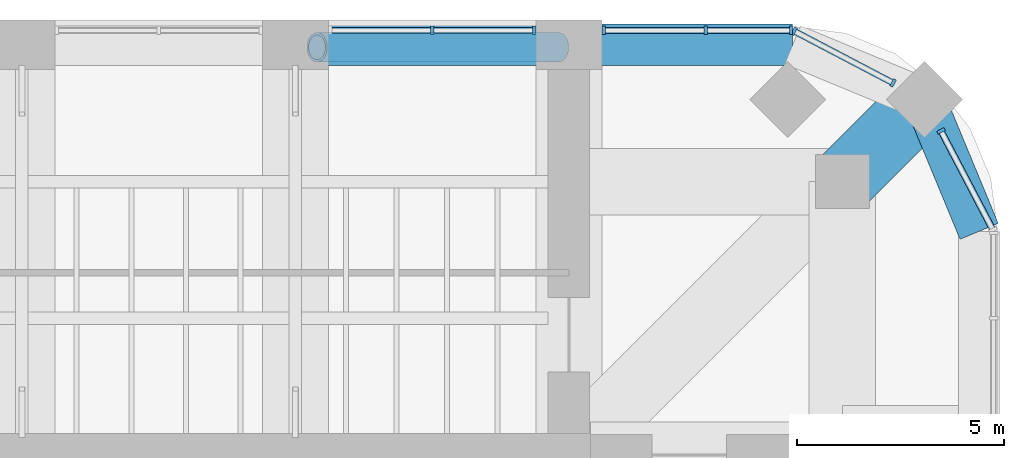
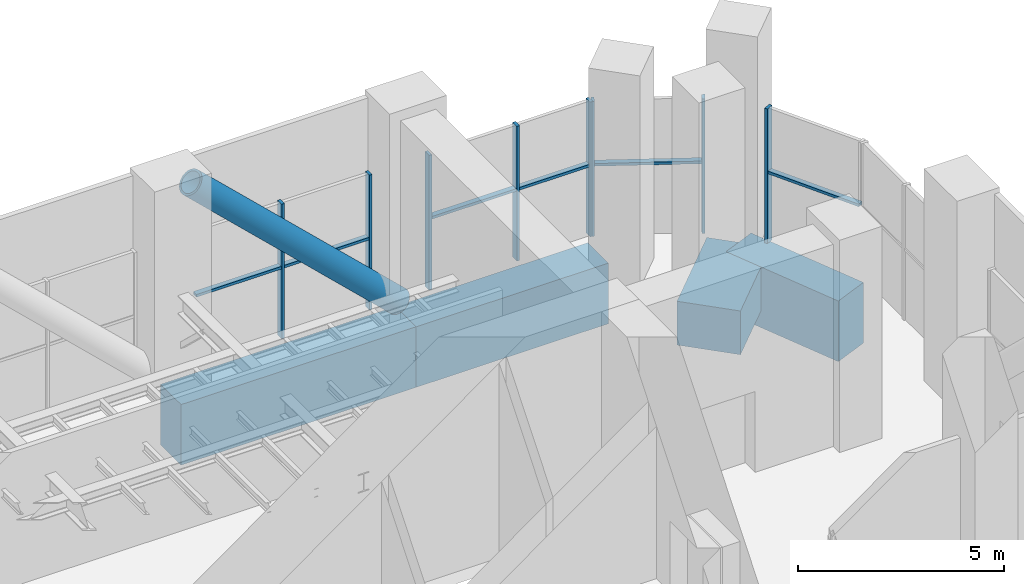
# One storey, part 8 of 15: 15 members, 4 beams, 4 elements without a shape of their own.
"""IFC4 building model written with IfcOpenShell, lengths in metres."""

import ifcopenshell
import ifcopenshell.guid

model = None  # the IFC model being written
_history = None  # IfcOwnerHistory: only IFC2X3 demands one
_inside = {}  # id of a spatial element -> (the spatial element, [elements in it])
_under = {}  # id of a project, library or spatial element -> (it, [spatial elements below it])
_declared = {}  # id of a project -> (the project, [libraries it declares])
_typed = {}  # id of a type object -> (the type object, [elements of that type])
_made_of = {}  # id of a material, layer set ... -> (it, [elements and type objects made of it])


def new_model(schema):
    """Start an empty IFC model of exactly this schema.

    Asked for "IFC4X3", IfcOpenShell would pick the latest addendum, in which some entities
    have other attributes; the version numbers below select the first issue.
    IFC2X3 requires an IfcOwnerHistory on every rooted entity: one is made here for all.
    """
    global model, _history
    if schema == "IFC4X3":
        model = ifcopenshell.file(schema_version=(4, 3, 0, 0))
    else:
        model = ifcopenshell.file(schema=schema)
    _inside.clear()
    _under.clear()
    _declared.clear()
    _typed.clear()
    _made_of.clear()
    _history = None
    if model.schema == "IFC2X3":
        org = make("IfcOrganization", Name="unknown")
        user = make(
            "IfcPersonAndOrganization",
            ThePerson=make("IfcPerson", FamilyName="unknown"),
            TheOrganization=org,
        )
        app = make(
            "IfcApplication",
            ApplicationDeveloper=org,
            Version="unknown",
            ApplicationFullName="unknown",
            ApplicationIdentifier="unknown",
        )
        _history = make(
            "IfcOwnerHistory",
            OwningUser=user,
            OwningApplication=app,
            ChangeAction="ADDED",
            CreationDate=0,
        )
    return model


def make(cls, **values):
    """One entity of the class cls with the attributes given. An attribute that is None is left unset."""
    return model.create_entity(
        cls, **{name: value for name, value in values.items() if value is not None}
    )


def rooted(cls, **values):
    """An entity with a GlobalId (a new one), such as an element, a storey or a relation."""
    return make(cls, GlobalId=ifcopenshell.guid.new(), OwnerHistory=_history, **values)


def si_unit(unit_type, name, prefix=None):
    """IfcSIUnit, for example si_unit("LENGTHUNIT", "METRE", prefix="MILLI")."""
    return make("IfcSIUnit", UnitType=unit_type, Prefix=prefix, Name=name)


def assignment(units):
    """IfcUnitAssignment: the units of a project."""
    return None if units is None else make("IfcUnitAssignment", Units=units)


def point(xyz):
    """IfcCartesianPoint."""
    return None if xyz is None else make("IfcCartesianPoint", Coordinates=xyz)


def direction(xyz):
    """IfcDirection."""
    return None if xyz is None else make("IfcDirection", DirectionRatios=xyz)


def frame(location, z_axis=None, x_axis=None):
    """IfcAxis2Placement3D, a coordinate frame: its origin and axes. An axis left out is left unset."""
    return make(
        "IfcAxis2Placement3D",
        Location=point(location),
        Axis=direction(z_axis),
        RefDirection=direction(x_axis),
    )


def frame_2d(location, x_axis=None):
    """IfcAxis2Placement2D, a coordinate frame in the plane: its origin and x axis."""
    return make(
        "IfcAxis2Placement2D", Location=point(location), RefDirection=direction(x_axis)
    )


def origin():
    """The frame at (0, 0, 0) with its axes left unset."""
    return frame((0.0, 0.0, 0.0))


def origin_2d():
    """The frame at (0, 0) in the plane with its x axis left unset."""
    return frame_2d((0.0, 0.0))


def place(relative_to, where):
    """IfcLocalPlacement: puts the frame where relative to a parent placement (None: the world)."""
    return make(
        "IfcLocalPlacement", PlacementRelTo=relative_to, RelativePlacement=where
    )


def context(
    kind, dimensions, precision=None, world=None, true_north=None, identifier=None
):
    """IfcGeometricRepresentationContext, for example the 3D "Model" context."""
    return make(
        "IfcGeometricRepresentationContext",
        ContextIdentifier=identifier,
        ContextType=kind,
        CoordinateSpaceDimension=dimensions,
        Precision=precision,
        WorldCoordinateSystem=world,
        TrueNorth=true_north,
    )


def subcontext(parent, identifier, kind, view, scale=None):
    """IfcGeometricRepresentationSubContext, for example "Body" below "Model"."""
    return make(
        "IfcGeometricRepresentationSubContext",
        ContextIdentifier=identifier,
        ContextType=kind,
        ParentContext=parent,
        TargetScale=scale,
        TargetView=view,
    )


def project(units=None, contexts=None):
    """IfcProject with its units and contexts."""
    return rooted(
        "IfcProject",
        Name="project",
        RepresentationContexts=contexts,
        UnitsInContext=assignment(units),
    )


def spatial(cls, under=None, at=None, **own):
    """A site, building, storey or space (cls), placed at a placement, below another one or the project."""
    s = rooted(cls, ObjectPlacement=at, **own)
    if under is not None:
        _under.setdefault(under.id(), (under, []))[1].append(s)
    return s


def profile(cls, at=None, kind="AREA", **sizes):
    """A parametric profile (cls). Its sizes go by their IFC names, for example OverallWidth=200.0."""
    return make(cls, ProfileType=kind, Position=at, **sizes)


def rectangle(**sizes):
    """IfcRectangleProfileDef."""
    return profile("IfcRectangleProfileDef", **sizes)


def hollow_circle(**sizes):
    """IfcCircleHollowProfileDef."""
    return profile("IfcCircleHollowProfileDef", **sizes)


def extrude(swept, where, along, depth):
    """IfcExtrudedAreaSolid: the profile swept, set in the frame where, extruded along a direction by depth."""
    return make(
        "IfcExtrudedAreaSolid",
        SweptArea=swept,
        Position=where,
        ExtrudedDirection=direction(along),
        Depth=depth,
    )


def shape(context_of_items, identifier, shape_type, items):
    """IfcShapeRepresentation: the items that make up one representation, for example the "Body"."""
    return make(
        "IfcShapeRepresentation",
        ContextOfItems=context_of_items,
        RepresentationIdentifier=identifier,
        RepresentationType=shape_type,
        Items=items,
    )


def material(Name=None, Category=None):
    """IfcMaterial."""
    return make("IfcMaterial", Name=Name, Category=Category)


def material_profile(
    of_material, cross_section, Name=None, Category=None, Priority=None
):
    """IfcMaterialProfile: a cross section and its material."""
    return make(
        "IfcMaterialProfile",
        Name=Name,
        Material=of_material,
        Profile=cross_section,
        Priority=Priority,
        Category=Category,
    )


def profile_set(profiles, Name=None, composite=None):
    """IfcMaterialProfileSet."""
    return make(
        "IfcMaterialProfileSet",
        Name=Name,
        MaterialProfiles=profiles,
        CompositeProfile=composite,
    )


def made_of(thing, what):
    """Note that an element or type object is made of a material, layer set ...; save() writes the relation."""
    if what is not None:
        _made_of.setdefault(what.id(), (what, []))[1].append(thing)
    return thing


def type_object(cls, material=None, **own):
    """A type object (cls), such as IfcWallType, which elements share."""
    return made_of(rooted(cls, **own), material)


def element(
    cls,
    number,
    at=None,
    inside=None,
    cuts=None,
    type_object=None,
    material=None,
    context=None,
    identifier="Body",
    shape_type=None,
    held_by="IfcProductDefinitionShape",
    body=None,
    shapes=None,
    **own,
):
    """One element of the class cls, such as IfcWall. Its Tag is "e" and its number.

    at: its placement. inside: the storey or other place that contains it. cuts: it is an
    opening in that element (IfcRelVoidsElement). A single representation is given by context,
    identifier, shape_type and body (its items); several are given by shapes. held_by: the class
    of the entity that holds the representations. save() writes the other relations.
    """
    e = rooted(cls, Tag="e%d" % number, ObjectPlacement=at, **own)
    if body is not None:
        shapes = [shape(context, identifier, shape_type, body)]
    if shapes is not None:
        e.Representation = make(held_by, Representations=shapes)
    if inside is not None:
        _inside.setdefault(inside.id(), (inside, []))[1].append(e)
    if cuts is not None:
        rooted(
            "IfcRelVoidsElement", RelatingBuildingElement=cuts, RelatedOpeningElement=e
        )
    if type_object is not None:
        _typed.setdefault(type_object.id(), (type_object, []))[1].append(e)
    return made_of(e, material)


def aggregate(whole, parts):
    """IfcRelAggregates: a whole, such as a stair, and the parts it consists of."""
    return rooted("IfcRelAggregates", RelatingObject=whole, RelatedObjects=parts)


def save(model, path):
    """Write the relations noted so far, then the file.

    IfcRelAggregates (storeys below a building ...), IfcRelContainedInSpatialStructure (elements
    in a storey), IfcRelDefinesByType, IfcRelAssociatesMaterial and IfcRelDeclares: one each for
    every whole, place, type object, material and project.
    """
    for whole, parts in _under.values():
        aggregate(whole, parts)
    for where, things in _inside.values():
        rooted(
            "IfcRelContainedInSpatialStructure",
            RelatedElements=things,
            RelatingStructure=where,
        )
    for kind, things in _typed.values():
        rooted("IfcRelDefinesByType", RelatedObjects=things, RelatingType=kind)
    for what, things in _made_of.values():
        rooted("IfcRelAssociatesMaterial", RelatedObjects=things, RelatingMaterial=what)
    for by, libraries in _declared.values():
        rooted("IfcRelDeclares", RelatingContext=by, RelatedDefinitions=libraries)
    model.write(path)


model = new_model("IFC4")

# Units and contexts
model_context = context("Model", 3, precision=1e-05, world=origin(), true_north=direction((0.0, 1.0)))
body_context = subcontext(model_context, "Body", "Model", "MODEL_VIEW")
ifc_project = project(units=[si_unit("LENGTHUNIT", "METRE"), si_unit("AREAUNIT", "SQUARE_METRE"), si_unit("VOLUMEUNIT", "CUBIC_METRE"), si_unit("PLANEANGLEUNIT", "RADIAN"), si_unit("MASSUNIT", "GRAM", prefix="KILO")], contexts=[model_context])

# Site, building, storey
site_placement = place(None, origin())
site = spatial("IfcSite", under=ifc_project, at=site_placement, CompositionType="ELEMENT")
building_placement = place(site_placement, origin())
building = spatial("IfcBuilding", under=site, at=building_placement, Name="Cobogo Forest Laboratory Tower", CompositionType="ELEMENT")
storey_placement = place(building_placement, frame((0.0, 0.0, 222.89990234375)))
storey = spatial("IfcBuildingStorey", under=building, at=storey_placement, Name="L51", CompositionType="ELEMENT", Elevation=222.89990234375)

# Member
ifc_material_1 = material(Name="Steel S460NH", Category="steel")
ifc_material_profile_1 = material_profile(ifc_material_1, hollow_circle(Radius=0.35546875, WallThickness=0.06005859375, at=origin_2d()), Name="CHS 711x60")
ifc_profile_set_1 = profile_set([ifc_material_profile_1], Name="Steel S460NH")
member_type_1 = type_object("IfcMemberType", Name="Belt truss diagonal CHS 711x60", PredefinedType="BRACE", material=ifc_profile_set_1)
member_1_placement = place(storey_placement, frame((39.35009765625, 42.840087890625, 0.23876953125), z_axis=(-0.723363796511, 0.0, 0.690467101242), x_axis=(0.0, -1.0, 0.0)))
element("IfcMember", 1, at=member_1_placement, inside=storey, type_object=member_type_1, Name="BT1 belt truss diagonal N12 L51", PredefinedType="BRACE", context=body_context, shape_type="SweptSolid", body=[
    extrude(hollow_circle(Radius=0.35546875, WallThickness=0.06005859375, at=origin_2d()), origin(), (0.0, 0.0, 1.0), 8.0595703125),
])

# Curtain wall, member
ifc_material_2 = material(Name="Aluminium curtain wall", Category="aluminium")
curtain_wall_type = type_object("IfcCurtainWallType", Name="CW-P louvred curtain wall, plant floors", PredefinedType="USERDEFINED", material=ifc_material_2)
curtain_wall_1_placement = place(storey_placement, origin())
curtain_wall_1 = element("IfcCurtainWall", 2, at=curtain_wall_1_placement, inside=storey, type_object=curtain_wall_type, Name="Curtain wall 14 L51", ObjectType="LOUVRED CURTAIN WALL", PredefinedType="USERDEFINED")
ifc_material_3 = material(Name="Aluminium mullion", Category="aluminium")
ifc_material_profile_2 = material_profile(ifc_material_3, rectangle(XDim=0.080078125, YDim=0.199951171875, at=origin_2d()), Name="AL 80x200")
ifc_profile_set_2 = profile_set([ifc_material_profile_2], Name="Aluminium mullion")
member_type_2 = type_object("IfcMemberType", Name="MU-3 aluminium louvre mullion 80x200", PredefinedType="MULLION", material=ifc_profile_set_2)
member_2_placement = place(storey_placement, frame((48.579833984375, 40.82275390625, 0.0), z_axis=(0.0, 0.0, 1.0), x_axis=(-0.464283685186, 0.885686547075, 0.0)))
member_2 = element("IfcMember", 3, at=member_2_placement, type_object=member_type_2, Name="CW-P mullion 2", PredefinedType="MULLION", context=body_context, shape_type="SweptSolid", body=[
    extrude(rectangle(XDim=0.080078125, YDim=0.199951171875, at=origin_2d()), origin(), (0.0, 0.0, 1.0), 4.0),
])

# Curtain wall, members
curtain_wall_2_placement = place(storey_placement, origin())
curtain_wall_2 = element("IfcCurtainWall", 4, at=curtain_wall_2_placement, inside=storey, type_object=curtain_wall_type, Name="Curtain wall 15 L51", ObjectType="LOUVRED CURTAIN WALL", PredefinedType="USERDEFINED")
member_3_placement = place(storey_placement, frame((47.4228515625, 41.97998046875, 0.0), z_axis=(0.0, 0.0, 1.0), x_axis=(-0.885686547075, 0.464283685186, 0.0)))
member_3 = element("IfcMember", 5, at=member_3_placement, type_object=member_type_2, Name="CW-P mullion 1", PredefinedType="MULLION", context=body_context, shape_type="SweptSolid", body=[
    extrude(rectangle(XDim=0.080078125, YDim=0.199951171875, at=origin_2d()), origin(), (0.0, 0.0, 1.0), 4.0),
])
member_4_placement = place(storey_placement, frame((45.035400390625, 43.2314453125, 0.0), z_axis=(0.0, 0.0, 1.0), x_axis=(-0.885686547075, 0.464283685186, 0.0)))
member_4 = element("IfcMember", 6, at=member_4_placement, type_object=member_type_2, Name="CW-P mullion 2", PredefinedType="MULLION", context=body_context, shape_type="SweptSolid", body=[
    extrude(rectangle(XDim=0.080078125, YDim=0.199951171875, at=origin_2d()), origin(), (0.0, 0.0, 1.0), 4.0),
])

curtain_wall_3_placement = place(storey_placement, origin())
curtain_wall_3 = element("IfcCurtainWall", 7, at=curtain_wall_3_placement, inside=storey, type_object=curtain_wall_type, Name="Curtain wall 16 L51", ObjectType="LOUVRED CURTAIN WALL", PredefinedType="USERDEFINED")
member_5_placement = place(storey_placement, frame((44.9599609375, 43.25, 0.0), z_axis=(0.0, 0.0, 1.0), x_axis=(-1.0, 0.0, 0.0)))
member_5 = element("IfcMember", 8, at=member_5_placement, type_object=member_type_2, Name="CW-P mullion 1", PredefinedType="MULLION", context=body_context, shape_type="SweptSolid", body=[
    extrude(rectangle(XDim=0.080078125, YDim=0.199951171875, at=origin_2d()), origin(), (0.0, 0.0, 1.0), 4.0),
])
member_6_placement = place(storey_placement, frame((42.89990234375, 43.25, 0.0), z_axis=(0.0, 0.0, 1.0), x_axis=(-1.0, 0.0, 0.0)))
member_6 = element("IfcMember", 9, at=member_6_placement, type_object=member_type_2, Name="CW-P mullion 2", PredefinedType="MULLION", context=body_context, shape_type="SweptSolid", body=[
    extrude(rectangle(XDim=0.080078125, YDim=0.199951171875, at=origin_2d()), origin(), (0.0, 0.0, 1.0), 4.0),
])
member_7_placement = place(storey_placement, frame((40.43994140625, 43.25, 0.0), z_axis=(0.0, 0.0, 1.0), x_axis=(-1.0, 0.0, 0.0)))
member_7 = element("IfcMember", 10, at=member_7_placement, type_object=member_type_2, Name="CW-P mullion 3", PredefinedType="MULLION", context=body_context, shape_type="SweptSolid", body=[
    extrude(rectangle(XDim=0.080078125, YDim=0.199951171875, at=origin_2d()), origin(), (0.0, 0.0, 1.0), 4.0),
])

curtain_wall_4_placement = place(storey_placement, origin())
curtain_wall_4 = element("IfcCurtainWall", 11, at=curtain_wall_4_placement, inside=storey, type_object=curtain_wall_type, Name="Curtain wall 17 L51", ObjectType="LOUVRED CURTAIN WALL", PredefinedType="USERDEFINED")
member_8_placement = place(storey_placement, frame((38.760009765625, 43.25, 0.0), z_axis=(0.0, 0.0, 1.0), x_axis=(-1.0, 0.0, 0.0)))
member_8 = element("IfcMember", 12, at=member_8_placement, type_object=member_type_2, Name="CW-P mullion 1", PredefinedType="MULLION", context=body_context, shape_type="SweptSolid", body=[
    extrude(rectangle(XDim=0.080078125, YDim=0.199951171875, at=origin_2d()), origin(), (0.0, 0.0, 1.0), 4.0),
])
member_9_placement = place(storey_placement, frame((36.300048828125, 43.25, 0.0), z_axis=(0.0, 0.0, 1.0), x_axis=(-1.0, 0.0, 0.0)))
member_9 = element("IfcMember", 13, at=member_9_placement, type_object=member_type_2, Name="CW-P mullion 2", PredefinedType="MULLION", context=body_context, shape_type="SweptSolid", body=[
    extrude(rectangle(XDim=0.080078125, YDim=0.199951171875, at=origin_2d()), origin(), (0.0, 0.0, 1.0), 4.0),
])

# Beams
ifc_material_4 = material(Name="Concrete HA-40 (C40/50)", Category="concrete")
ifc_material_profile_3 = material_profile(ifc_material_4, rectangle(XDim=1.60009765625, YDim=1.300048828125, at=origin_2d()), Name="RC 1600x1300")
ifc_profile_set_3 = profile_set([ifc_material_profile_3], Name="Concrete HA-40 (C40/50)")
beam_type_1 = type_object("IfcBeamType", Name="Plant and roof garden wide beam 1600x1300", PredefinedType="BEAM", material=ifc_profile_set_3)
beam_1_placement = place(storey_placement, frame((48.181884765625, 41.58203125, -1.0), z_axis=(-0.707106781187, -0.707106781187, 0.0), x_axis=(0.707106781187, -0.707106781187, 0.0)))
element("IfcBeam", 14, at=beam_1_placement, inside=storey, type_object=beam_type_1, Name="RB4 G-NE-D1 L51", PredefinedType="BEAM", context=body_context, shape_type="SweptSolid", body=[
    extrude(rectangle(XDim=1.60009765625, YDim=1.300048828125, at=origin_2d()), origin(), (0.0, 0.0, 1.0), 2.802978515625),
])
ifc_material_profile_4 = material_profile(ifc_material_4, rectangle(XDim=1.0, YDim=1.800048828125, at=origin_2d()), Name="RC 1000x1800")
ifc_profile_set_4 = profile_set([ifc_material_profile_4], Name="Concrete HA-40 (C40/50)")
beam_type_2 = type_object("IfcBeamType", Name="Plant floor perimeter girder 1000x1800", PredefinedType="BEAM", material=ifc_profile_set_4)
beam_2_placement = place(storey_placement, frame((33.0, 42.89990234375, -1.25), z_axis=(1.0, 0.0, 0.0), x_axis=(0.0, 1.0, 0.0)))
element("IfcBeam", 15, at=beam_2_placement, inside=storey, type_object=beam_type_2, Name="TG1 E-N4 L51", PredefinedType="BEAM", context=body_context, shape_type="SweptSolid", body=[
    extrude(rectangle(XDim=1.0, YDim=1.800048828125, at=origin_2d()), origin(), (0.0, 0.0, 1.0), 6.60009765625),
])
beam_3_placement = place(storey_placement, frame((49.5, 38.39990234375, -1.25), z_axis=(-0.382691928466, 0.923876013265, 0.0), x_axis=(-0.923876013265, -0.382691928466, 0.0)))
element("IfcBeam", 16, at=beam_3_placement, inside=storey, type_object=beam_type_2, Name="TG1 E-NEE2 L51", PredefinedType="BEAM", context=body_context, shape_type="SweptSolid", body=[
    extrude(rectangle(XDim=1.0, YDim=1.800048828125, at=origin_2d()), origin(), (0.0, 0.0, 1.0), 3.4443359375),
])
beam_4_placement = place(storey_placement, frame((39.60009765625, 42.89990234375, -1.25), z_axis=(1.0, 0.0, 0.0), x_axis=(0.0, 1.0, 0.0)))
element("IfcBeam", 17, at=beam_4_placement, inside=storey, type_object=beam_type_2, Name="TG1 E-NEN1 L51", PredefinedType="BEAM", context=body_context, shape_type="SweptSolid", body=[
    extrude(rectangle(XDim=1.0, YDim=1.800048828125, at=origin_2d()), origin(), (0.0, 0.0, 1.0), 5.39990234375),
])

# Member
ifc_material_5 = material(Name="Aluminium transom", Category="aluminium")
ifc_material_profile_5 = material_profile(ifc_material_5, rectangle(XDim=0.14990234375, YDim=0.080078125, at=origin_2d()), Name="AL 80x150")
ifc_profile_set_5 = profile_set([ifc_material_profile_5], Name="Aluminium transom")
member_type_3 = type_object("IfcMemberType", Name="TR-2 aluminium louvre transom 80x150", PredefinedType="USERDEFINED", material=ifc_profile_set_5)
member_10_placement = place(storey_placement, frame((49.812744140625, 38.470947265625, 2.10009765625), z_axis=(-0.464306940139, 0.885674356261, 0.0), x_axis=(-0.885674356261, -0.464306940139, 0.0)))
member_10 = element("IfcMember", 18, at=member_10_placement, type_object=member_type_3, Name="CW-P transom 1.1", ObjectType="TRANSOM", PredefinedType="USERDEFINED", context=body_context, shape_type="SweptSolid", body=[
    extrude(rectangle(XDim=0.14990234375, YDim=0.080078125, at=origin_2d()), origin(), (0.0, 0.0, 1.0), 2.615478515625),
])

aggregate(curtain_wall_1, [member_2, member_10])

member_11_placement = place(storey_placement, frame((47.387451171875, 41.99853515625, 2.10009765625), z_axis=(-0.885694477554, 0.464268556366, 0.0), x_axis=(-0.464268556366, -0.885694477554, 0.0)))
member_11 = element("IfcMember", 19, at=member_11_placement, type_object=member_type_3, Name="CW-P transom 1.1", ObjectType="TRANSOM", PredefinedType="USERDEFINED", context=body_context, shape_type="SweptSolid", body=[
    extrude(rectangle(XDim=0.14990234375, YDim=0.080078125, at=origin_2d()), origin(), (0.0, 0.0, 1.0), 2.61572265625),
])

aggregate(curtain_wall_2, [member_3, member_4, member_11])

member_12_placement = place(storey_placement, frame((44.919921875, 43.25, 2.10009765625), z_axis=(-1.0, 0.0, 0.0), x_axis=(0.0, -1.0, 0.0)))
member_12 = element("IfcMember", 20, at=member_12_placement, type_object=member_type_3, Name="CW-P transom 1.1", ObjectType="TRANSOM", PredefinedType="USERDEFINED", context=body_context, shape_type="SweptSolid", body=[
    extrude(rectangle(XDim=0.14990234375, YDim=0.080078125, at=origin_2d()), origin(), (0.0, 0.0, 1.0), 1.97998046875),
])

member_13_placement = place(storey_placement, frame((42.860107421875, 43.25, 2.10009765625), z_axis=(-1.0, 0.0, 0.0), x_axis=(0.0, -1.0, 0.0)))
member_13 = element("IfcMember", 21, at=member_13_placement, type_object=member_type_3, Name="CW-P transom 2.1", ObjectType="TRANSOM", PredefinedType="USERDEFINED", context=body_context, shape_type="SweptSolid", body=[
    extrude(rectangle(XDim=0.14990234375, YDim=0.080078125, at=origin_2d()), origin(), (0.0, 0.0, 1.0), 2.380126953125),
])

aggregate(curtain_wall_3, [member_5, member_6, member_7, member_12, member_13])

member_14_placement = place(storey_placement, frame((38.719970703125, 43.25, 2.10009765625), z_axis=(-1.0, 0.0, 0.0), x_axis=(0.0, -1.0, 0.0)))
member_14 = element("IfcMember", 22, at=member_14_placement, type_object=member_type_3, Name="CW-P transom 1.1", ObjectType="TRANSOM", PredefinedType="USERDEFINED", context=body_context, shape_type="SweptSolid", body=[
    extrude(rectangle(XDim=0.14990234375, YDim=0.080078125, at=origin_2d()), origin(), (0.0, 0.0, 1.0), 2.3798828125),
])

member_15_placement = place(storey_placement, frame((36.260009765625, 43.25, 2.10009765625), z_axis=(-1.0, 0.0, 0.0), x_axis=(0.0, -1.0, 0.0)))
member_15 = element("IfcMember", 23, at=member_15_placement, type_object=member_type_3, Name="CW-P transom 2.1", ObjectType="TRANSOM", PredefinedType="USERDEFINED", context=body_context, shape_type="SweptSolid", body=[
    extrude(rectangle(XDim=0.14990234375, YDim=0.080078125, at=origin_2d()), origin(), (0.0, 0.0, 1.0), 2.380126953125),
])

aggregate(curtain_wall_4, [member_8, member_9, member_14, member_15])

save(model, "model.ifc")
